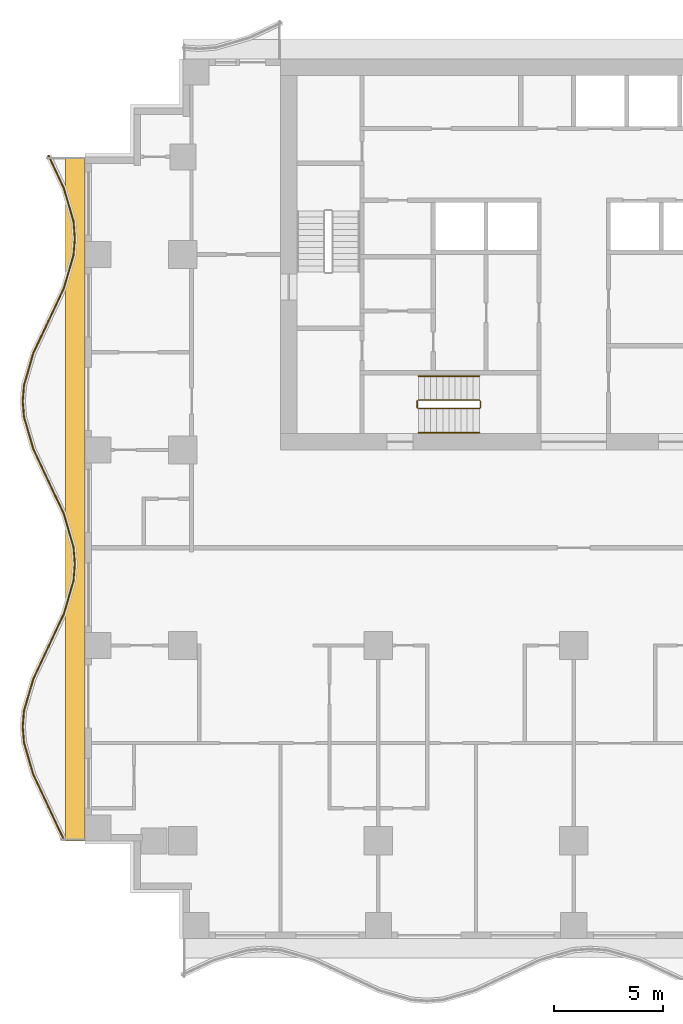
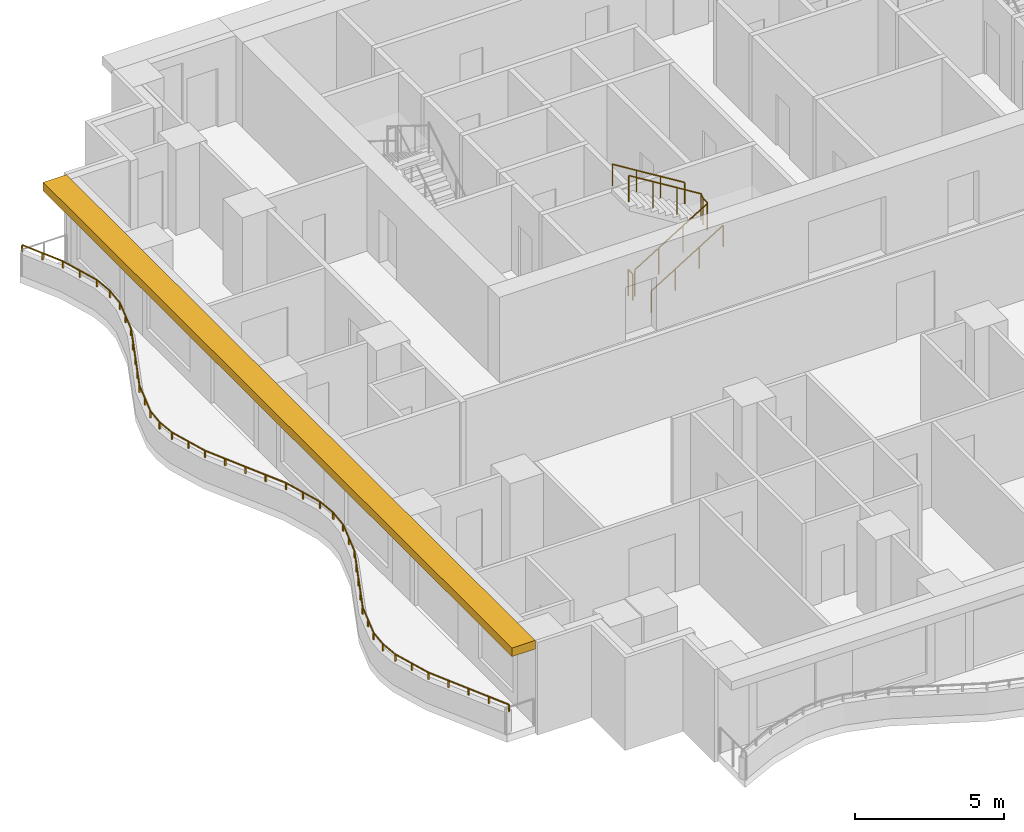
# One storey, part 8 of 10: 5 railings, 1 shading device.
"""IFC4 building model written with IfcOpenShell, lengths in metres."""

from ifc_helpers import new_model, si_unit, direction, frame, origin, origin_2d, place, context, subcontext, project, spatial, polyline, rectangle, circle, outline, extrude, material, layer, layer_set, type_object, element, save


model = new_model("IFC4")

# Units and contexts
model_context = context("Model", 3, precision=1e-05, world=origin(), true_north=direction((0.0, 1.0)))
body_context = subcontext(model_context, "Body", "Model", "MODEL_VIEW")
ifc_project = project(units=[si_unit("LENGTHUNIT", "METRE"), si_unit("AREAUNIT", "SQUARE_METRE"), si_unit("VOLUMEUNIT", "CUBIC_METRE"), si_unit("PLANEANGLEUNIT", "RADIAN"), si_unit("MASSUNIT", "GRAM", prefix="KILO")], contexts=[model_context])

# Site, building, storey
site_placement = place(None, origin())
site = spatial("IfcSite", under=ifc_project, at=site_placement, CompositionType="ELEMENT")
building_placement = place(site_placement, origin())
building = spatial("IfcBuilding", under=site, at=building_placement, Name="Orbiselva Terraces", CompositionType="ELEMENT")
storey_placement = place(building_placement, frame((0.0, 0.0, 128.8)))
storey = spatial("IfcBuildingStorey", under=building, at=storey_placement, Name="L32", CompositionType="ELEMENT", Elevation=128.8)

# Railings
ifc_material_1 = material(Name="Stainless steel", Category="steel")
railing_type_1 = type_object("IfcRailingType", Name="CORE-GUARD-1100", PredefinedType="GUARDRAIL", material=ifc_material_1)
railing_1_placement = place(storey_placement, frame((-7.15, 6.4, 0.172727)))
element("IfcRailing", 1, at=railing_1_placement, inside=storey, type_object=railing_type_1, Name="L32 S3 stair guard 1", PredefinedType="GUARDRAIL", context=body_context, shape_type="SweptSolid", body=[
    extrude(circle(Radius=0.024, at=origin_2d()), frame((0.0, 0.0, 1.081), z_axis=(0.851088519012, 0.0, 0.52502222125), x_axis=(0.0, 1.0, 0.0)), (0.0, 0.0, 1.0), 3.289905),
    extrude(circle(Radius=0.024, at=origin_2d()), frame((2.8, 0.0, 2.808273), z_axis=(0.707106781187, 0.707106781187, 0.0), x_axis=(-0.707106781187, 0.707106781187, 0.0)), (0.0, 0.0, 1.0), 0.070711),
    extrude(circle(Radius=0.024, at=origin_2d()), frame((2.85, 0.05, 2.808273), z_axis=(0.0, 1.0, 0.0), x_axis=(-1.0, 0.0, 0.0)), (0.0, 0.0, 1.0), 0.3),
    extrude(circle(Radius=0.024, at=origin_2d()), frame((2.85, 0.35, 2.808273), z_axis=(-0.267894925557, 0.267894925557, 0.925453736133), x_axis=(-0.707106781187, -0.707106781187, 0.0)), (0.0, 0.0, 1.0), 0.18664),
    extrude(circle(Radius=0.024, at=origin_2d()), frame((2.8, 0.4, 2.981), z_axis=(-0.851088519012, 0.0, 0.52502222125), x_axis=(0.0, -1.0, 0.0)), (0.0, 0.0, 1.0), 3.289905),
    extrude(circle(Radius=0.021, at=origin_2d()), origin(), (0.0, 0.0, 1.0), 1.057),
    extrude(circle(Radius=0.021, at=origin_2d()), frame((0.933333, 0.0, 0.575758)), (0.0, 0.0, 1.0), 1.057),
    extrude(circle(Radius=0.021, at=origin_2d()), frame((1.866667, 0.0, 1.151515)), (0.0, 0.0, 1.0), 1.057),
    extrude(circle(Radius=0.021, at=origin_2d()), frame((2.8, 0.0, 1.727273)), (0.0, 0.0, 1.0), 1.057),
    extrude(circle(Radius=0.021, at=origin_2d()), frame((2.85, 0.05, 1.727273)), (0.0, 0.0, 1.0), 1.057),
    extrude(circle(Radius=0.021, at=origin_2d()), frame((2.85, 0.35, 1.727273)), (0.0, 0.0, 1.0), 1.057),
    extrude(circle(Radius=0.021, at=origin_2d()), frame((2.8, 0.4, 1.9)), (0.0, 0.0, 1.0), 1.057),
    extrude(circle(Radius=0.021, at=origin_2d()), frame((1.866667, 0.4, 2.475758)), (0.0, 0.0, 1.0), 1.057),
    extrude(circle(Radius=0.021, at=origin_2d()), frame((0.933333, 0.4, 3.051515)), (0.0, 0.0, 1.0), 1.057),
    extrude(circle(Radius=0.021, at=origin_2d()), frame((0.0, 0.4, 3.627273)), (0.0, 0.0, 1.0), 1.057),
])
railing_2_placement = place(storey_placement, frame((-7.2, 6.45, 0.0)))
element("IfcRailing", 2, at=railing_2_placement, inside=storey, type_object=railing_type_1, Name="L32 S3 stair guard 2", PredefinedType="GUARDRAIL", context=body_context, shape_type="SweptSolid", body=[
    extrude(circle(Radius=0.024, at=origin_2d()), frame((0.0, 0.0, 1.081), z_axis=(0.0, 1.0, 0.0), x_axis=(-1.0, 0.0, 0.0)), (0.0, 0.0, 1.0), 0.3),
    extrude(circle(Radius=0.021, at=origin_2d()), origin(), (0.0, 0.0, 1.0), 1.057),
    extrude(circle(Radius=0.021, at=origin_2d()), frame((0.0, 0.3, 0.0)), (0.0, 0.0, 1.0), 1.057),
])
railing_type_2 = type_object("IfcRailingType", Name="CORE-HANDRAIL-900", PredefinedType="HANDRAIL", material=ifc_material_1)
railing_3_placement = place(storey_placement, frame((-7.15, 5.3, 0.172727)))
element("IfcRailing", 3, at=railing_3_placement, inside=storey, type_object=railing_type_2, Name="L32 S3 stair handrail 1", PredefinedType="HANDRAIL", context=body_context, shape_type="SweptSolid", body=[
    extrude(circle(Radius=0.024, at=origin_2d()), frame((0.0, 0.0, 0.876), z_axis=(0.851088519012, 0.0, 0.52502222125), x_axis=(0.0, 1.0, 0.0)), (0.0, 0.0, 1.0), 3.289905),
    extrude(circle(Radius=0.021, at=origin_2d()), origin(), (0.0, 0.0, 1.0), 0.852),
    extrude(circle(Radius=0.021, at=origin_2d()), frame((0.933333, 0.0, 0.575758)), (0.0, 0.0, 1.0), 0.852),
    extrude(circle(Radius=0.021, at=origin_2d()), frame((1.866667, 0.0, 1.151515)), (0.0, 0.0, 1.0), 0.852),
    extrude(circle(Radius=0.021, at=origin_2d()), frame((2.8, 0.0, 1.727273)), (0.0, 0.0, 1.0), 0.852),
])
railing_4_placement = place(storey_placement, frame((-4.35, 7.9, 2.072727)))
element("IfcRailing", 4, at=railing_4_placement, inside=storey, type_object=railing_type_2, Name="L32 S3 stair handrail 2", PredefinedType="HANDRAIL", context=body_context, shape_type="SweptSolid", body=[
    extrude(circle(Radius=0.024, at=origin_2d()), frame((0.0, 0.0, 0.876), z_axis=(-0.851088519012, 0.0, 0.52502222125), x_axis=(0.0, -1.0, 0.0)), (0.0, 0.0, 1.0), 3.289905),
    extrude(circle(Radius=0.021, at=origin_2d()), origin(), (0.0, 0.0, 1.0), 0.852),
    extrude(circle(Radius=0.021, at=origin_2d()), frame((-0.933333, 0.0, 0.575758)), (0.0, 0.0, 1.0), 0.852),
    extrude(circle(Radius=0.021, at=origin_2d()), frame((-1.866667, 0.0, 1.151515)), (0.0, 0.0, 1.0), 0.852),
    extrude(circle(Radius=0.021, at=origin_2d()), frame((-2.8, 0.0, 1.727273)), (0.0, 0.0, 1.0), 0.852),
])
ifc_material_2 = material(Name="Bonded two-ply safety glass balustrade, stainless steel posts", Category="steel")
railing_type_3 = type_object("IfcRailingType", Name="ENV-BALUSTRADE-1200", PredefinedType="BALUSTRADE", material=ifc_material_2)
railing_5_placement = place(storey_placement, frame((-24.186882, 18.053191, 0.9)))
element("IfcRailing", 5, at=railing_5_placement, inside=storey, type_object=railing_type_3, Name="Balcony balustrade L32 W", PredefinedType="BALUSTRADE", context=body_context, shape_type="SweptSolid", body=[
    extrude(outline(polyline([(0.028868, 0.0), (0.014434, 0.025), (-0.014434, 0.025), (-0.028868, 0.0), (-0.014434, -0.025), (0.014434, -0.025), (0.028868, 0.0)])), frame((0.0, 0.0, 0.275), z_axis=(0.425530342069, -0.904944157382, 0.0), x_axis=(0.904944157382, 0.425530342069, 0.0)), (0.0, 0.0, 1.0), 1.667376),
    extrude(outline(polyline([(0.028868, 0.0), (0.014434, 0.025), (-0.014434, 0.025), (-0.028868, 0.0), (-0.014434, -0.025), (0.014434, -0.025), (0.028868, 0.0)])), frame((0.709519, -1.508882, 0.275), z_axis=(0.279070928786, -0.960270491427, 0.0), x_axis=(0.960270491427, 0.279070928786, 0.0)), (0.0, 0.0, 1.0), 1.584712),
    extrude(outline(polyline([(0.028868, 0.0), (0.014434, 0.025), (-0.014434, 0.025), (-0.028868, 0.0), (-0.014434, -0.025), (0.014434, -0.025), (0.028868, 0.0)])), frame((1.151766, -3.030634, 0.275), z_axis=(0.078071061106, -0.996947796737, 0.0), x_axis=(0.996947796737, 0.078071061106, 0.0)), (0.0, 0.0, 1.0), 0.774922),
    extrude(outline(polyline([(0.028868, 0.0), (0.014434, 0.025), (-0.014434, 0.025), (-0.028868, 0.0), (-0.014434, -0.025), (0.014434, -0.025), (0.028868, 0.0)])), frame((1.212265, -3.803191, 0.275), z_axis=(-0.078071061106, -0.996947796737, 0.0), x_axis=(0.996947796737, -0.078071061106, 0.0)), (0.0, 0.0, 1.0), 0.774922),
    extrude(outline(polyline([(0.028868, 0.0), (0.014434, 0.025), (-0.014434, 0.025), (-0.028868, 0.0), (-0.014434, -0.025), (0.014434, -0.025), (0.028868, 0.0)])), frame((1.151766, -4.575748, 0.275), z_axis=(-0.279070928786, -0.960270491427, 0.0), x_axis=(0.960270491427, -0.279070928786, 0.0)), (0.0, 0.0, 1.0), 1.584712),
    extrude(outline(polyline([(0.028868, 0.0), (0.014434, 0.025), (-0.014434, 0.025), (-0.028868, 0.0), (-0.014434, -0.025), (0.014434, -0.025), (0.028868, 0.0)])), frame((0.709519, -6.0975, 0.275), z_axis=(-0.425530342069, -0.904944157382, 0.0), x_axis=(0.904944157382, -0.425530342069, 0.0)), (0.0, 0.0, 1.0), 1.667376),
    extrude(outline(polyline([(0.028868, 0.0), (0.014434, 0.025), (-0.014434, 0.025), (-0.028868, 0.0), (-0.014434, -0.025), (0.014434, -0.025), (0.028868, 0.0)])), frame((0.0, -7.606382, 0.275), z_axis=(-0.425529912322, -0.904944359461, 0.0), x_axis=(0.904944359461, -0.425529912322, 0.0)), (0.0, 0.0, 1.0), 1.647746),
    extrude(outline(polyline([(0.028868, 0.0), (0.014434, 0.025), (-0.014434, 0.025), (-0.028868, 0.0), (-0.014434, -0.025), (0.014434, -0.025), (0.028868, 0.0)])), frame((-0.701165, -9.0975, 0.275), z_axis=(-0.279071528957, -0.960270317007, 0.0), x_axis=(0.960270317007, -0.279071528957, 0.0)), (0.0, 0.0, 1.0), 1.539408),
    extrude(outline(polyline([(0.028868, 0.0), (0.014434, 0.025), (-0.014434, 0.025), (-0.028868, 0.0), (-0.014434, -0.025), (0.014434, -0.025), (0.028868, 0.0)])), frame((-1.13077, -10.575748, 0.275), z_axis=(-0.078069536776, -0.996947916106, 0.0), x_axis=(0.996947916106, -0.078069536776, 0.0)), (0.0, 0.0, 1.0), 0.72967),
    extrude(outline(polyline([(0.028868, 0.0), (0.014434, 0.025), (-0.014434, 0.025), (-0.028868, 0.0), (-0.014434, -0.025), (0.014434, -0.025), (0.028868, 0.0)])), frame((-1.187735, -11.303191, 0.275), z_axis=(0.078069536776, -0.996947916106, 0.0), x_axis=(0.996947916106, 0.078069536776, 0.0)), (0.0, 0.0, 1.0), 0.72967),
    extrude(outline(polyline([(0.028868, 0.0), (0.014434, 0.025), (-0.014434, 0.025), (-0.028868, 0.0), (-0.014434, -0.025), (0.014434, -0.025), (0.028868, 0.0)])), frame((-1.13077, -12.030634, 0.275), z_axis=(0.279071528957, -0.960270317007, 0.0), x_axis=(0.960270317007, 0.279071528957, 0.0)), (0.0, 0.0, 1.0), 1.539408),
    extrude(outline(polyline([(0.028868, 0.0), (0.014434, 0.025), (-0.014434, 0.025), (-0.028868, 0.0), (-0.014434, -0.025), (0.014434, -0.025), (0.028868, 0.0)])), frame((-0.701165, -13.508882, 0.275), z_axis=(0.425529912322, -0.904944359461, 0.0), x_axis=(0.904944359461, 0.425529912322, 0.0)), (0.0, 0.0, 1.0), 1.647746),
    extrude(outline(polyline([(0.028868, 0.0), (0.014434, 0.025), (-0.014434, 0.025), (-0.028868, 0.0), (-0.014434, -0.025), (0.014434, -0.025), (0.028868, 0.0)])), frame((0.0, -15.0, 0.275), z_axis=(0.425530342069, -0.904944157382, 0.0), x_axis=(0.904944157382, 0.425530342069, 0.0)), (0.0, 0.0, 1.0), 1.667376),
    extrude(outline(polyline([(0.028868, 0.0), (0.014434, 0.025), (-0.014434, 0.025), (-0.028868, 0.0), (-0.014434, -0.025), (0.014434, -0.025), (0.028868, 0.0)])), frame((0.709519, -16.508882, 0.275), z_axis=(0.279070928786, -0.960270491427, 0.0), x_axis=(0.960270491427, 0.279070928786, 0.0)), (0.0, 0.0, 1.0), 1.584712),
    extrude(outline(polyline([(0.028868, 0.0), (0.014434, 0.025), (-0.014434, 0.025), (-0.028868, 0.0), (-0.014434, -0.025), (0.014434, -0.025), (0.028868, 0.0)])), frame((1.151766, -18.030634, 0.275), z_axis=(0.078071061106, -0.996947796737, 0.0), x_axis=(0.996947796737, 0.078071061106, 0.0)), (0.0, 0.0, 1.0), 0.774922),
    extrude(outline(polyline([(0.028868, 0.0), (0.014434, 0.025), (-0.014434, 0.025), (-0.028868, 0.0), (-0.014434, -0.025), (0.014434, -0.025), (0.028868, 0.0)])), frame((1.212265, -18.803191, 0.275), z_axis=(-0.078071061106, -0.996947796737, 0.0), x_axis=(0.996947796737, -0.078071061106, 0.0)), (0.0, 0.0, 1.0), 0.774922),
    extrude(outline(polyline([(0.028868, 0.0), (0.014434, 0.025), (-0.014434, 0.025), (-0.028868, 0.0), (-0.014434, -0.025), (0.014434, -0.025), (0.028868, 0.0)])), frame((1.151766, -19.575748, 0.275), z_axis=(-0.279070928786, -0.960270491427, 0.0), x_axis=(0.960270491427, -0.279070928786, 0.0)), (0.0, 0.0, 1.0), 1.584712),
    extrude(outline(polyline([(0.028868, 0.0), (0.014434, 0.025), (-0.014434, 0.025), (-0.028868, 0.0), (-0.014434, -0.025), (0.014434, -0.025), (0.028868, 0.0)])), frame((0.709519, -21.0975, 0.275), z_axis=(-0.425530342069, -0.904944157382, 0.0), x_axis=(0.904944157382, -0.425530342069, 0.0)), (0.0, 0.0, 1.0), 1.667376),
    extrude(outline(polyline([(0.028868, 0.0), (0.014434, 0.025), (-0.014434, 0.025), (-0.028868, 0.0), (-0.014434, -0.025), (0.014434, -0.025), (0.028868, 0.0)])), frame((0.0, -22.606382, 0.275), z_axis=(-0.425529912322, -0.904944359461, 0.0), x_axis=(0.904944359461, -0.425529912322, 0.0)), (0.0, 0.0, 1.0), 1.647746),
    extrude(outline(polyline([(0.028868, 0.0), (0.014434, 0.025), (-0.014434, 0.025), (-0.028868, 0.0), (-0.014434, -0.025), (0.014434, -0.025), (0.028868, 0.0)])), frame((-0.701165, -24.0975, 0.275), z_axis=(-0.279071528957, -0.960270317007, 0.0), x_axis=(0.960270317007, -0.279071528957, 0.0)), (0.0, 0.0, 1.0), 1.539408),
    extrude(outline(polyline([(0.028868, 0.0), (0.014434, 0.025), (-0.014434, 0.025), (-0.028868, 0.0), (-0.014434, -0.025), (0.014434, -0.025), (0.028868, 0.0)])), frame((-1.13077, -25.575748, 0.275), z_axis=(-0.078069536776, -0.996947916106, 0.0), x_axis=(0.996947916106, -0.078069536776, 0.0)), (0.0, 0.0, 1.0), 0.72967),
    extrude(outline(polyline([(0.028868, 0.0), (0.014434, 0.025), (-0.014434, 0.025), (-0.028868, 0.0), (-0.014434, -0.025), (0.014434, -0.025), (0.028868, 0.0)])), frame((-1.187735, -26.303191, 0.275), z_axis=(0.078069536776, -0.996947916106, 0.0), x_axis=(0.996947916106, 0.078069536776, 0.0)), (0.0, 0.0, 1.0), 0.72967),
    extrude(outline(polyline([(0.028868, 0.0), (0.014434, 0.025), (-0.014434, 0.025), (-0.028868, 0.0), (-0.014434, -0.025), (0.014434, -0.025), (0.028868, 0.0)])), frame((-1.13077, -27.030634, 0.275), z_axis=(0.279071528957, -0.960270317007, 0.0), x_axis=(0.960270317007, 0.279071528957, 0.0)), (0.0, 0.0, 1.0), 1.539408),
    extrude(outline(polyline([(0.028868, 0.0), (0.014434, 0.025), (-0.014434, 0.025), (-0.028868, 0.0), (-0.014434, -0.025), (0.014434, -0.025), (0.028868, 0.0)])), frame((-0.701165, -28.508882, 0.275), z_axis=(0.425529912322, -0.904944359461, 0.0), x_axis=(0.904944359461, 0.425529912322, 0.0)), (0.0, 0.0, 1.0), 1.647746),
    extrude(outline(polyline([(0.028868, 0.0), (0.014434, 0.025), (-0.014434, 0.025), (-0.028868, 0.0), (-0.014434, -0.025), (0.014434, -0.025), (0.028868, 0.0)])), frame((0.0, -30.0, 0.275), z_axis=(0.425530128467, -0.904944257823, 0.0), x_axis=(0.904944257823, 0.425530128467, 0.0)), (0.0, 0.0, 1.0), 1.657561),
    extrude(rectangle(XDim=0.05, YDim=0.05, at=origin_2d()), origin(), (0.0, 0.0, 1.0), 0.25),
    extrude(rectangle(XDim=0.05, YDim=0.05, at=origin_2d()), frame((0.35476, -0.754441, 0.0)), (0.0, 0.0, 1.0), 0.25),
    extrude(rectangle(XDim=0.05, YDim=0.05, at=origin_2d()), frame((0.709519, -1.508882, 0.0)), (0.0, 0.0, 1.0), 0.25),
    extrude(rectangle(XDim=0.05, YDim=0.05, at=origin_2d()), frame((0.930643, -2.269758, 0.0)), (0.0, 0.0, 1.0), 0.25),
    extrude(rectangle(XDim=0.05, YDim=0.05, at=origin_2d()), frame((1.151766, -3.030634, 0.0)), (0.0, 0.0, 1.0), 0.25),
    extrude(rectangle(XDim=0.05, YDim=0.05, at=origin_2d()), frame((1.212265, -3.803191, 0.0)), (0.0, 0.0, 1.0), 0.25),
    extrude(rectangle(XDim=0.05, YDim=0.05, at=origin_2d()), frame((1.151766, -4.575748, 0.0)), (0.0, 0.0, 1.0), 0.25),
    extrude(rectangle(XDim=0.05, YDim=0.05, at=origin_2d()), frame((0.930643, -5.336624, 0.0)), (0.0, 0.0, 1.0), 0.25),
    extrude(rectangle(XDim=0.05, YDim=0.05, at=origin_2d()), frame((0.709519, -6.0975, 0.0)), (0.0, 0.0, 1.0), 0.25),
    extrude(rectangle(XDim=0.05, YDim=0.05, at=origin_2d()), frame((0.35476, -6.851941, 0.0)), (0.0, 0.0, 1.0), 0.25),
    extrude(rectangle(XDim=0.05, YDim=0.05, at=origin_2d()), frame((0.0, -7.606382, 0.0)), (0.0, 0.0, 1.0), 0.25),
    extrude(rectangle(XDim=0.05, YDim=0.05, at=origin_2d()), frame((-0.350582, -8.351941, 0.0)), (0.0, 0.0, 1.0), 0.25),
    extrude(rectangle(XDim=0.05, YDim=0.05, at=origin_2d()), frame((-0.701165, -9.0975, 0.0)), (0.0, 0.0, 1.0), 0.25),
    extrude(rectangle(XDim=0.05, YDim=0.05, at=origin_2d()), frame((-0.915967, -9.836624, 0.0)), (0.0, 0.0, 1.0), 0.25),
    extrude(rectangle(XDim=0.05, YDim=0.05, at=origin_2d()), frame((-1.13077, -10.575748, 0.0)), (0.0, 0.0, 1.0), 0.25),
    extrude(rectangle(XDim=0.05, YDim=0.05, at=origin_2d()), frame((-1.187735, -11.303191, 0.0)), (0.0, 0.0, 1.0), 0.25),
    extrude(rectangle(XDim=0.05, YDim=0.05, at=origin_2d()), frame((-1.13077, -12.030634, 0.0)), (0.0, 0.0, 1.0), 0.25),
    extrude(rectangle(XDim=0.05, YDim=0.05, at=origin_2d()), frame((-0.915967, -12.769758, 0.0)), (0.0, 0.0, 1.0), 0.25),
    extrude(rectangle(XDim=0.05, YDim=0.05, at=origin_2d()), frame((-0.701165, -13.508882, 0.0)), (0.0, 0.0, 1.0), 0.25),
    extrude(rectangle(XDim=0.05, YDim=0.05, at=origin_2d()), frame((-0.350582, -14.254441, 0.0)), (0.0, 0.0, 1.0), 0.25),
    extrude(rectangle(XDim=0.05, YDim=0.05, at=origin_2d()), frame((0.0, -15.0, 0.0)), (0.0, 0.0, 1.0), 0.25),
    extrude(rectangle(XDim=0.05, YDim=0.05, at=origin_2d()), frame((0.35476, -15.754441, 0.0)), (0.0, 0.0, 1.0), 0.25),
    extrude(rectangle(XDim=0.05, YDim=0.05, at=origin_2d()), frame((0.709519, -16.508882, 0.0)), (0.0, 0.0, 1.0), 0.25),
    extrude(rectangle(XDim=0.05, YDim=0.05, at=origin_2d()), frame((0.930643, -17.269758, 0.0)), (0.0, 0.0, 1.0), 0.25),
    extrude(rectangle(XDim=0.05, YDim=0.05, at=origin_2d()), frame((1.151766, -18.030634, 0.0)), (0.0, 0.0, 1.0), 0.25),
    extrude(rectangle(XDim=0.05, YDim=0.05, at=origin_2d()), frame((1.212265, -18.803191, 0.0)), (0.0, 0.0, 1.0), 0.25),
    extrude(rectangle(XDim=0.05, YDim=0.05, at=origin_2d()), frame((1.151766, -19.575748, 0.0)), (0.0, 0.0, 1.0), 0.25),
    extrude(rectangle(XDim=0.05, YDim=0.05, at=origin_2d()), frame((0.930643, -20.336624, 0.0)), (0.0, 0.0, 1.0), 0.25),
    extrude(rectangle(XDim=0.05, YDim=0.05, at=origin_2d()), frame((0.709519, -21.0975, 0.0)), (0.0, 0.0, 1.0), 0.25),
    extrude(rectangle(XDim=0.05, YDim=0.05, at=origin_2d()), frame((0.35476, -21.851941, 0.0)), (0.0, 0.0, 1.0), 0.25),
    extrude(rectangle(XDim=0.05, YDim=0.05, at=origin_2d()), frame((0.0, -22.606382, 0.0)), (0.0, 0.0, 1.0), 0.25),
    extrude(rectangle(XDim=0.05, YDim=0.05, at=origin_2d()), frame((-0.350582, -23.351941, 0.0)), (0.0, 0.0, 1.0), 0.25),
    extrude(rectangle(XDim=0.05, YDim=0.05, at=origin_2d()), frame((-0.701165, -24.0975, 0.0)), (0.0, 0.0, 1.0), 0.25),
    extrude(rectangle(XDim=0.05, YDim=0.05, at=origin_2d()), frame((-0.915967, -24.836624, 0.0)), (0.0, 0.0, 1.0), 0.25),
    extrude(rectangle(XDim=0.05, YDim=0.05, at=origin_2d()), frame((-1.13077, -25.575748, 0.0)), (0.0, 0.0, 1.0), 0.25),
    extrude(rectangle(XDim=0.05, YDim=0.05, at=origin_2d()), frame((-1.187735, -26.303191, 0.0)), (0.0, 0.0, 1.0), 0.25),
    extrude(rectangle(XDim=0.05, YDim=0.05, at=origin_2d()), frame((-1.13077, -27.030634, 0.0)), (0.0, 0.0, 1.0), 0.25),
    extrude(rectangle(XDim=0.05, YDim=0.05, at=origin_2d()), frame((-0.915967, -27.769758, 0.0)), (0.0, 0.0, 1.0), 0.25),
    extrude(rectangle(XDim=0.05, YDim=0.05, at=origin_2d()), frame((-0.701165, -28.508882, 0.0)), (0.0, 0.0, 1.0), 0.25),
    extrude(rectangle(XDim=0.05, YDim=0.05, at=origin_2d()), frame((-0.350582, -29.254441, 0.0)), (0.0, 0.0, 1.0), 0.25),
    extrude(rectangle(XDim=0.05, YDim=0.05, at=origin_2d()), frame((0.0, -30.0, 0.0)), (0.0, 0.0, 1.0), 0.25),
    extrude(rectangle(XDim=0.05, YDim=0.05, at=origin_2d()), frame((0.352671, -30.75, 0.0)), (0.0, 0.0, 1.0), 0.25),
    extrude(rectangle(XDim=0.05, YDim=0.05, at=origin_2d()), frame((0.705342, -31.5, 0.0)), (0.0, 0.0, 1.0), 0.25),
])

# Shading device
ifc_material_3 = material(Name="Terracotta baguette sunshade", Category="masonry")
ifc_layer = layer(ifc_material_3, 0.35)
ifc_layer_set = layer_set([ifc_layer], Name="Terracotta baguette sunshade")
shading_device_type = type_object("IfcShadingDeviceType", Name="ENV-SUNSHADE-900x350", PredefinedType="USERDEFINED", material=ifc_layer_set)
shading_device_placement = place(storey_placement, frame((0.0, 0.0, 3.15)))
element("IfcShadingDevice", 6, at=shading_device_placement, inside=storey, type_object=shading_device_type, Name="Sunshade band L32 W", ObjectType="SUNSHADE", PredefinedType="USERDEFINED", context=body_context, shape_type="SweptSolid", body=[
    extrude(outline(polyline([(-23.4, 18.0), (-23.4, -13.5), (-22.5, -13.5), (-22.5, 18.0), (-23.4, 18.0)])), origin(), (0.0, 0.0, 1.0), 0.35),
])

save(model, "model.ifc")
